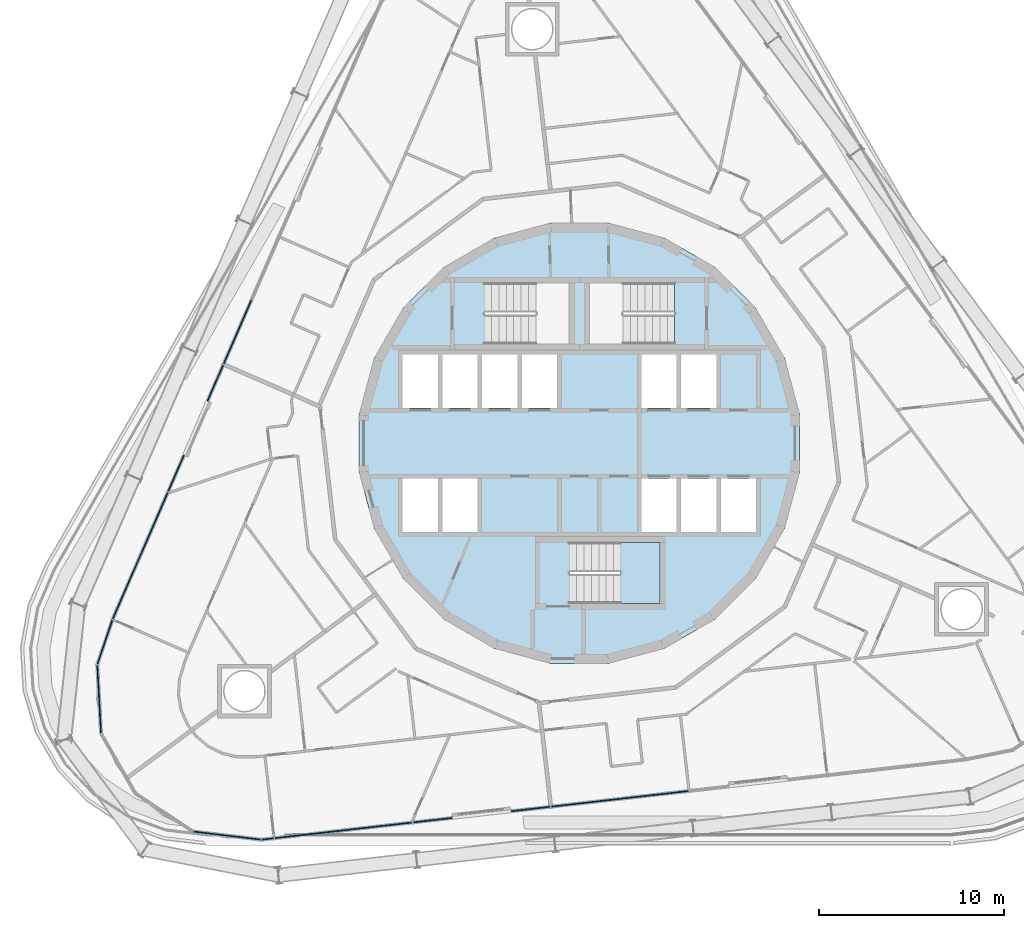
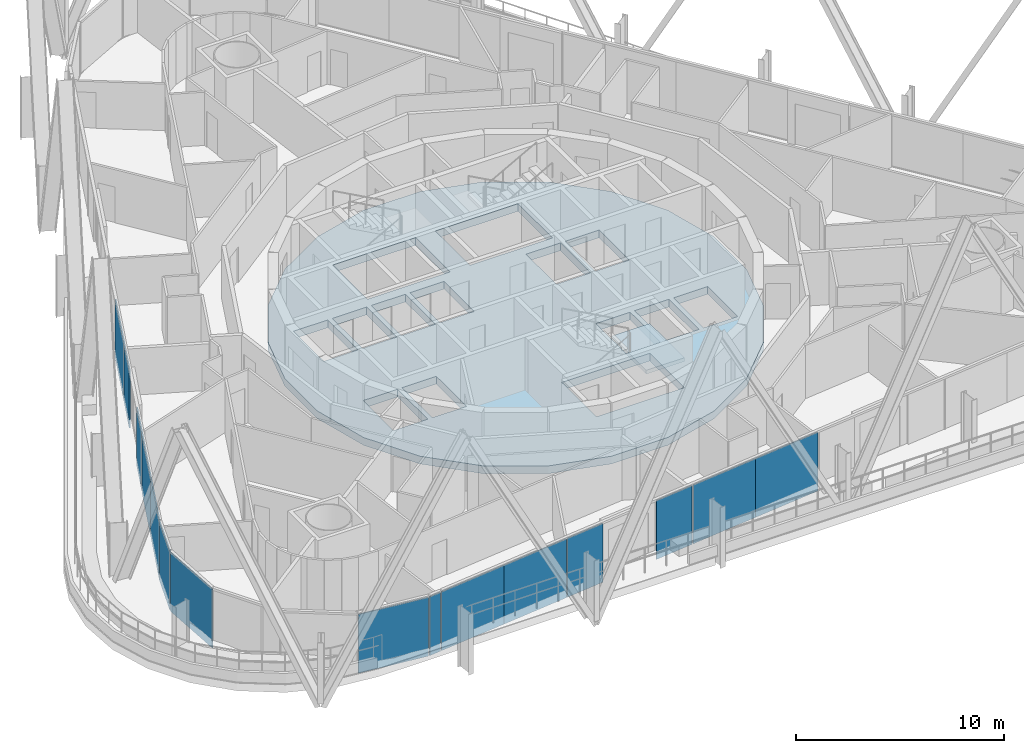
# One storey, part 13 of 32: 15 plates, 2 slabs, 4 elements without a shape of their own.
"""IFC4 building model written with IfcOpenShell, lengths in metres."""

from ifc_helpers import new_model, si_unit, direction, frame, origin, origin_2d, place, context, subcontext, project, spatial, polyline, rectangle, outline, extrude, material, layer, layer_set, type_object, element, aggregate, save


model = new_model("IFC4")

# Units and contexts
model_context = context("Model", 3, precision=1e-05, world=origin(), true_north=direction((0.0, 1.0)))
body_context = subcontext(model_context, "Body", "Model", "MODEL_VIEW")
ifc_project = project(units=[si_unit("LENGTHUNIT", "METRE"), si_unit("AREAUNIT", "SQUARE_METRE"), si_unit("VOLUMEUNIT", "CUBIC_METRE"), si_unit("PLANEANGLEUNIT", "RADIAN"), si_unit("MASSUNIT", "GRAM", prefix="KILO")], contexts=[model_context])

# Site, building, storey
site_placement = place(None, origin())
site = spatial("IfcSite", under=ifc_project, at=site_placement, CompositionType="ELEMENT")
building_placement = place(site_placement, origin())
building = spatial("IfcBuilding", under=site, at=building_placement, Name="Spindle Arch Residences", CompositionType="ELEMENT")
storey_placement = place(building_placement, frame((0.0, 0.0, 76.699951171875)))
storey = spatial("IfcBuildingStorey", under=building, at=storey_placement, Name="L17", CompositionType="ELEMENT", Elevation=76.699951171875)

# Slab
ifc_material_1 = material(Name="Concrete C50/60", Category="concrete")
ifc_layer_1 = layer(ifc_material_1, 0.449951171875)
ifc_layer_set_1 = layer_set([ifc_layer_1], Name="Core floor slab 450")
slab_type_1 = type_object("IfcSlabType", Name="Core floor slab 450", PredefinedType="FLOOR", material=ifc_layer_set_1)
slab_1_placement = place(storey_placement, frame((0.0, 0.0, -0.449951171875)))
element("IfcSlab", 1, at=slab_1_placement, inside=storey, type_object=slab_type_1, Name="Core floor L17", PredefinedType="FLOOR", context=body_context, shape_type="SweptSolid", body=[
    extrude(outline(polyline([(1.56640625, -11.897216796875), (4.59228515625, -11.086669921875), (7.30517578125, -9.520263671875), (9.520263671875, -7.30517578125), (11.086669921875, -4.59228515625), (11.897216796875, -1.56640625), (11.897216796875, 1.56640625), (11.086669921875, 4.59228515625), (9.520263671875, 7.30517578125), (7.30517578125, 9.520263671875), (4.59228515625, 11.086669921875), (1.56640625, 11.897216796875), (-1.56640625, 11.897216796875), (-4.59228515625, 11.086669921875), (-7.30517578125, 9.520263671875), (-9.520263671875, 7.30517578125), (-11.086669921875, 4.59228515625), (-11.897216796875, 1.56640625), (-11.897216796875, -1.56640625), (-11.086669921875, -4.59228515625), (-9.520263671875, -7.30517578125), (-7.30517578125, -9.520263671875), (-4.59228515625, -11.086669921875), (-1.56640625, -11.897216796875), (1.56640625, -11.897216796875)]), holes=[polyline([(-9.550048828125, 1.89990234375), (-7.64990234375, 1.89990234375), (-7.64990234375, 4.800048828125), (-9.550048828125, 4.800048828125), (-9.550048828125, 1.89990234375)]), polyline([(-7.39990234375, 1.89990234375), (-5.5, 1.89990234375), (-5.5, 4.800048828125), (-7.39990234375, 4.800048828125), (-7.39990234375, 1.89990234375)]), polyline([(-5.25, 1.89990234375), (-3.35009765625, 1.89990234375), (-3.35009765625, 4.800048828125), (-5.25, 4.800048828125), (-5.25, 1.89990234375)]), polyline([(-3.10009765625, 1.89990234375), (-1.199951171875, 1.89990234375), (-1.199951171875, 4.800048828125), (-3.10009765625, 4.800048828125), (-3.10009765625, 1.89990234375)]), polyline([(3.35009765625, 1.89990234375), (5.25, 1.89990234375), (5.25, 4.800048828125), (3.35009765625, 4.800048828125), (3.35009765625, 1.89990234375)]), polyline([(5.5, 1.89990234375), (7.39990234375, 1.89990234375), (7.39990234375, 4.800048828125), (5.5, 4.800048828125), (5.5, 1.89990234375)]), polyline([(-9.550048828125, -4.800048828125), (-7.64990234375, -4.800048828125), (-7.64990234375, -1.89990234375), (-9.550048828125, -1.89990234375), (-9.550048828125, -4.800048828125)]), polyline([(-7.39990234375, -4.800048828125), (-5.5, -4.800048828125), (-5.5, -1.89990234375), (-7.39990234375, -1.89990234375), (-7.39990234375, -4.800048828125)]), polyline([(3.35009765625, -4.800048828125), (5.25, -4.800048828125), (5.25, -1.89990234375), (3.35009765625, -1.89990234375), (3.35009765625, -4.800048828125)]), polyline([(5.5, -4.800048828125), (7.39990234375, -4.800048828125), (7.39990234375, -1.89990234375), (5.5, -1.89990234375), (5.5, -4.800048828125)]), polyline([(7.64990234375, -4.800048828125), (9.550048828125, -4.800048828125), (9.550048828125, -1.89990234375), (7.64990234375, -1.89990234375), (7.64990234375, -4.800048828125)]), polyline([(5.1298828125, 8.669921875), (0.550048828125, 8.669921875), (0.550048828125, 5.35009765625), (5.1298828125, 5.35009765625), (5.1298828125, 8.669921875)]), polyline([(-5.1298828125, 5.35009765625), (-0.550048828125, 5.35009765625), (-0.550048828125, 8.669921875), (-5.1298828125, 8.669921875), (-5.1298828125, 5.35009765625)]), polyline([(-0.530029296875, -8.669921875), (4.35009765625, -8.669921875), (4.35009765625, -5.35009765625), (-0.530029296875, -5.35009765625), (-0.530029296875, -8.669921875)])]), origin(), (0.0, 0.0, 1.0), 0.449951171875),
])

# Stair, slab
ifc_material_2 = material(Name="Concrete C50/60", Category="concrete")
stair_type = type_object("IfcStairType", Name="Exit stair 16 risers", PredefinedType="HALF_TURN_STAIR", material=ifc_material_2)
stair_placement = place(storey_placement, origin())
stair = element("IfcStair", 2, at=stair_placement, inside=storey, type_object=stair_type, Name="L17 Exit stair ST3", PredefinedType="HALF_TURN_STAIR")
ifc_material_3 = material(Name="Concrete C50/60", Category="concrete")
ifc_layer_2 = layer(ifc_material_3, 0.219970703125)
ifc_layer_set_2 = layer_set([ifc_layer_2], Name="Exit stair landing 220")
slab_type_2 = type_object("IfcSlabType", Name="Exit stair landing 220", PredefinedType="LANDING", material=ifc_layer_set_2)
slab_2_placement = place(storey_placement, frame((0.0, 0.0, 1.530029296875)))
slab_2 = element("IfcSlab", 3, at=slab_2_placement, type_object=slab_type_2, Name="ST3 landing 1", PredefinedType="LANDING", context=body_context, shape_type="SweptSolid", body=[
    extrude(outline(polyline([(2.22998046875, -8.669921875), (4.35009765625, -8.669921875), (4.35009765625, -5.35009765625), (2.22998046875, -5.35009765625), (2.22998046875, -8.669921875)])), origin(), (0.0, 0.0, 1.0), 0.219970703125),
])
aggregate(stair, [slab_2])

# Curtain wall, plates
ifc_material_4 = material(Name="Aluminium bronze unitised frame with tinted glass", Category="aluminium")
ifc_layer_3 = layer(ifc_material_4, 0.159912109375)
ifc_layer_set_3 = layer_set([ifc_layer_3], Name="CW-C typical residential unitised wall")
curtain_wall_type_1 = type_object("IfcCurtainWallType", Name="CW-C typical residential unitised wall", PredefinedType="NOTDEFINED", material=ifc_layer_set_3)
curtain_wall_1_placement = place(storey_placement, origin())
curtain_wall_1 = element("IfcCurtainWall", 4, at=curtain_wall_1_placement, inside=storey, type_object=curtain_wall_type_1, Name="CW-C L17 run 4", PredefinedType="NOTDEFINED")
ifc_material_5 = material(Name="Tinted double glazing over aluminium faced non-combustible spandrel zone (K0)", Category="aluminium")
ifc_layer_4 = layer(ifc_material_5, 0.06005859375)
ifc_layer_set_4 = layer_set([ifc_layer_4], Name="Unitised glass panel with E 60 spandrel zone")
plate_type = type_object("IfcPlateType", Name="Unitised glass panel with E 60 spandrel zone", PredefinedType="CURTAIN_PANEL", material=ifc_layer_set_4)
plate_1_placement = place(storey_placement, frame((-18.477294921875, 6.000732421875, -0.44970703125), z_axis=(0.0, 0.0, 1.0), x_axis=(-0.398749068925, -0.917060074385, 0.0)))
plate_1 = element("IfcPlate", 5, at=plate_1_placement, type_object=plate_type, Name="CW-C unit 15B", PredefinedType="CURTAIN_PANEL", context=body_context, shape_type="SweptSolid", body=[
    extrude(rectangle(XDim=3.7294921875, YDim=0.06005859375, at=origin_2d()), origin(), (0.0, 0.0, 1.0), 3.449951171875),
])
plate_2_placement = place(storey_placement, frame((-19.669189453125, 3.25927734375, -0.44970703125), z_axis=(0.0, 0.0, 1.0), x_axis=(-0.398749068925, -0.917060074385, 0.0)))
plate_2 = element("IfcPlate", 6, at=plate_2_placement, type_object=plate_type, Name="CW-C unit 16L", PredefinedType="CURTAIN_PANEL", context=body_context, shape_type="SweptSolid", body=[
    extrude(rectangle(XDim=2.12939453125, YDim=0.06005859375, at=origin_2d()), origin(), (0.0, 0.0, 1.0), 3.449951171875),
])
plate_3_placement = place(storey_placement, frame((-21.79443359375, -1.628173828125, -0.44970703125), z_axis=(0.0, 0.0, 1.0), x_axis=(-0.398749068925, -0.917060074385, 0.0)))
plate_3 = element("IfcPlate", 7, at=plate_3_placement, type_object=plate_type, Name="CW-C unit 16R", PredefinedType="CURTAIN_PANEL", context=body_context, shape_type="SweptSolid", body=[
    extrude(rectangle(XDim=2.12939453125, YDim=0.06005859375, at=origin_2d()), origin(), (0.0, 0.0, 1.0), 3.449951171875),
])
plate_4_placement = place(storey_placement, frame((-22.986328125, -4.36962890625, -0.44970703125), z_axis=(0.0, 0.0, 1.0), x_axis=(-0.398749068925, -0.917060074385, 0.0)))
plate_4 = element("IfcPlate", 8, at=plate_4_placement, type_object=plate_type, Name="CW-C unit 17A", PredefinedType="CURTAIN_PANEL", context=body_context, shape_type="SweptSolid", body=[
    extrude(rectangle(XDim=3.7294921875, YDim=0.06005859375, at=origin_2d()), origin(), (0.0, 0.0, 1.0), 3.449951171875),
])
plate_5_placement = place(storey_placement, frame((-24.473388671875, -7.78955078125, -0.44970703125), z_axis=(0.0, 0.0, 1.0), x_axis=(-0.398749068925, -0.917060074385, 0.0)))
plate_5 = element("IfcPlate", 9, at=plate_5_placement, type_object=plate_type, Name="CW-C unit 17B", PredefinedType="CURTAIN_PANEL", context=body_context, shape_type="SweptSolid", body=[
    extrude(rectangle(XDim=3.7294921875, YDim=0.06005859375, at=origin_2d()), origin(), (0.0, 0.0, 1.0), 3.449951171875),
])
aggregate(curtain_wall_1, [plate_1, plate_2, plate_3, plate_4, plate_5])

ifc_material_6 = material(Name="Aluminium bronze unitised frame with tinted glass", Category="aluminium")
ifc_layer_5 = layer(ifc_material_6, 0.159912109375)
ifc_layer_set_5 = layer_set([ifc_layer_5], Name="CW-D corner wall on the fillet arcs")
curtain_wall_type_2 = type_object("IfcCurtainWallType", Name="CW-D corner wall on the fillet arcs", PredefinedType="NOTDEFINED", material=ifc_layer_set_5)
curtain_wall_2_placement = place(storey_placement, origin())
curtain_wall_2 = element("IfcCurtainWall", 10, at=curtain_wall_2_placement, inside=storey, type_object=curtain_wall_type_2, Name="CW-D L17 run 5", PredefinedType="NOTDEFINED")
plate_6_placement = place(storey_placement, frame((-25.640380859375, -10.746826171875, -0.44970703125), z_axis=(0.0, 0.0, 1.0), x_axis=(-0.319727106941, -0.947509671237, 0.0)))
plate_6 = element("IfcPlate", 11, at=plate_6_placement, type_object=plate_type, Name="CW-D unit 00", PredefinedType="CURTAIN_PANEL", context=body_context, shape_type="SweptSolid", body=[
    extrude(rectangle(XDim=2.51416015625, YDim=0.06005859375, at=origin_2d()), origin(), (0.0, 0.0, 1.0), 3.449951171875),
])
plate_7_placement = place(storey_placement, frame((-25.948974609375, -13.82666015625, -0.44970703125), z_axis=(0.0, 0.0, 1.0), x_axis=(0.055240622495, -0.998473071057, 0.0)))
plate_7 = element("IfcPlate", 12, at=plate_7_placement, type_object=plate_type, Name="CW-D unit 01", PredefinedType="CURTAIN_PANEL", context=body_context, shape_type="SweptSolid", body=[
    extrude(rectangle(XDim=3.666748046875, YDim=0.06005859375, at=origin_2d()), origin(), (0.0, 0.0, 1.0), 3.449951171875),
])
plate_8_placement = place(storey_placement, frame((-19.034423828125, -21.19873046875, -0.44970703125), z_axis=(0.0, 0.0, 1.0), x_axis=(0.992896454881, -0.118981636756, 0.0)))
plate_8 = element("IfcPlate", 13, at=plate_8_placement, type_object=plate_type, Name="CW-D unit 04", PredefinedType="CURTAIN_PANEL", context=body_context, shape_type="SweptSolid", body=[
    extrude(rectangle(XDim=3.666748046875, YDim=0.06005859375, at=origin_2d()), origin(), (0.0, 0.0, 1.0), 3.449951171875),
])
plate_9_placement = place(storey_placement, frame((-16.835693359375, -21.380859375, -0.44970703125), z_axis=(0.0, 0.0, 1.0), x_axis=(0.993571855677, 0.113203213768, 0.0)))
plate_9 = element("IfcPlate", 14, at=plate_9_placement, type_object=plate_type, Name="CW-D unit 05", PredefinedType="CURTAIN_PANEL", context=body_context, shape_type="SweptSolid", body=[
    extrude(rectangle(XDim=0.6416015625, YDim=0.06005859375, at=origin_2d()), origin(), (0.0, 0.0, 1.0), 3.449951171875),
])
aggregate(curtain_wall_2, [plate_6, plate_7, plate_8, plate_9])

curtain_wall_3_placement = place(storey_placement, origin())
curtain_wall_3 = element("IfcCurtainWall", 15, at=curtain_wall_3_placement, inside=storey, type_object=curtain_wall_type_1, Name="CW-C L17 run 6", PredefinedType="NOTDEFINED")
plate_10_placement = place(storey_placement, frame((-14.604736328125, -21.126708984375, -0.44970703125), z_axis=(0.0, 0.0, 1.0), x_axis=(0.993571855677, 0.113203213768, 0.0)))
plate_10 = element("IfcPlate", 16, at=plate_10_placement, type_object=plate_type, Name="CW-C unit 21A", PredefinedType="CURTAIN_PANEL", context=body_context, shape_type="SweptSolid", body=[
    extrude(rectangle(XDim=3.7294921875, YDim=0.06005859375, at=origin_2d()), origin(), (0.0, 0.0, 1.0), 3.449951171875),
])
plate_11_placement = place(storey_placement, frame((-10.899169921875, -20.704345703125, -0.44970703125), z_axis=(0.0, 0.0, 1.0), x_axis=(0.993571855677, 0.113203213768, 0.0)))
plate_11 = element("IfcPlate", 17, at=plate_11_placement, type_object=plate_type, Name="CW-C unit 21B", PredefinedType="CURTAIN_PANEL", context=body_context, shape_type="SweptSolid", body=[
    extrude(rectangle(XDim=3.7294921875, YDim=0.06005859375, at=origin_2d()), origin(), (0.0, 0.0, 1.0), 3.449951171875),
])
plate_12_placement = place(storey_placement, frame((-7.928955078125, -20.365966796875, -0.44970703125), z_axis=(0.0, 0.0, 1.0), x_axis=(0.993571855677, 0.113203213768, 0.0)))
plate_12 = element("IfcPlate", 18, at=plate_12_placement, type_object=plate_type, Name="CW-C unit 22L", PredefinedType="CURTAIN_PANEL", context=body_context, shape_type="SweptSolid", body=[
    extrude(rectangle(XDim=2.12939453125, YDim=0.06005859375, at=origin_2d()), origin(), (0.0, 0.0, 1.0), 3.449951171875),
])
plate_13_placement = place(storey_placement, frame((-2.6337890625, -19.7626953125, -0.44970703125), z_axis=(0.0, 0.0, 1.0), x_axis=(0.993571855677, 0.113203213768, 0.0)))
plate_13 = element("IfcPlate", 19, at=plate_13_placement, type_object=plate_type, Name="CW-C unit 22R", PredefinedType="CURTAIN_PANEL", context=body_context, shape_type="SweptSolid", body=[
    extrude(rectangle(XDim=2.12939453125, YDim=0.06005859375, at=origin_2d()), origin(), (0.0, 0.0, 1.0), 3.449951171875),
])
plate_14_placement = place(storey_placement, frame((0.33642578125, -19.42431640625, -0.44970703125), z_axis=(0.0, 0.0, 1.0), x_axis=(0.993571855677, 0.113203213768, 0.0)))
plate_14 = element("IfcPlate", 20, at=plate_14_placement, type_object=plate_type, Name="CW-C unit 23A", PredefinedType="CURTAIN_PANEL", context=body_context, shape_type="SweptSolid", body=[
    extrude(rectangle(XDim=3.7294921875, YDim=0.06005859375, at=origin_2d()), origin(), (0.0, 0.0, 1.0), 3.449951171875),
])
plate_15_placement = place(storey_placement, frame((4.041748046875, -19.002197265625, -0.44970703125), z_axis=(0.0, 0.0, 1.0), x_axis=(0.993571855677, 0.113203213768, 0.0)))
plate_15 = element("IfcPlate", 21, at=plate_15_placement, type_object=plate_type, Name="CW-C unit 23B", PredefinedType="CURTAIN_PANEL", context=body_context, shape_type="SweptSolid", body=[
    extrude(rectangle(XDim=3.7294921875, YDim=0.06005859375, at=origin_2d()), origin(), (0.0, 0.0, 1.0), 3.449951171875),
])
aggregate(curtain_wall_3, [plate_10, plate_11, plate_12, plate_13, plate_14, plate_15])

save(model, "model.ifc")
